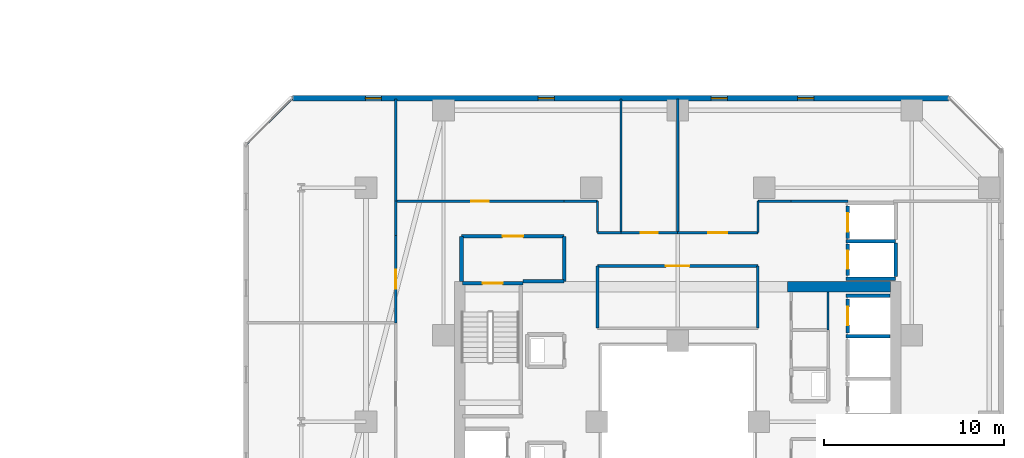
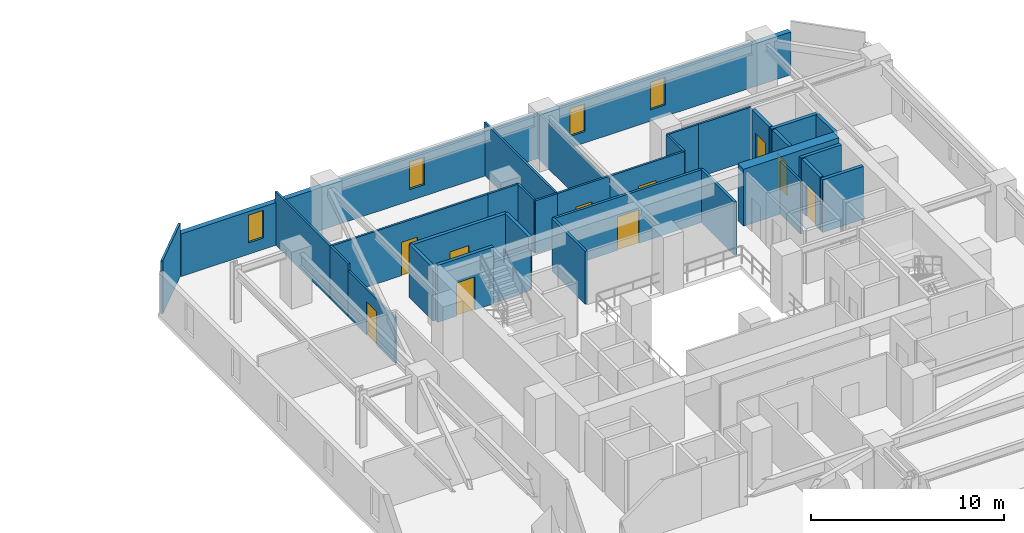
# One storey, part 26 of 33: 34 walls, 10 doors, 4 windows, 14 openings.
"""IFC4 building model written with IfcOpenShell, lengths in metres."""

from ifc_helpers import new_model, si_unit, direction, frame, frame_2d, origin, place, context, subcontext, project, spatial, rectangle, extrude, material, layer, layer_set, type_object, element, fill, save


model = new_model("IFC4")

# Units and contexts
model_context = context("Model", 3, precision=1e-05, world=origin(), true_north=direction((0.0, 1.0)))
body_context = subcontext(model_context, "Body", "Model", "MODEL_VIEW")
ifc_project = project(units=[si_unit("LENGTHUNIT", "METRE"), si_unit("AREAUNIT", "SQUARE_METRE"), si_unit("VOLUMEUNIT", "CUBIC_METRE"), si_unit("PLANEANGLEUNIT", "RADIAN"), si_unit("MASSUNIT", "GRAM", prefix="KILO")], contexts=[model_context])

# Site, building, storey
site_placement = place(None, origin())
site = spatial("IfcSite", under=ifc_project, at=site_placement, CompositionType="ELEMENT")
building_placement = place(site_placement, origin())
building = spatial("IfcBuilding", under=site, at=building_placement, Name="Thornwick Lancets Civic Towers", CompositionType="ELEMENT")
storey_placement = place(building_placement, frame((0.0, 0.0, 112.5)))
storey = spatial("IfcBuildingStorey", under=building, at=storey_placement, Name="L29", CompositionType="ELEMENT", Elevation=112.5)

# Wall, opening, door
ifc_material_1 = material(Name="Concrete blockwork C40/50", Category="masonry")
ifc_layer_1 = layer(ifc_material_1, 0.199951171875, Name="Concrete blockwork C40/50")
ifc_layer_set_1 = layer_set([ifc_layer_1], Name="Concrete blockwork C40/50")
wall_type_1 = type_object("IfcWallType", Name="WALL_COMP_200", PredefinedType="STANDARD", material=ifc_layer_set_1)
wall_1_placement = place(storey_placement, frame((97.949951171875, 33.820068359375, 0.0), z_axis=(0.0, 0.0, 1.0), x_axis=(0.0, -1.0, 0.0)))
wall_1 = element("IfcWall", 1, at=wall_1_placement, inside=storey, type_object=wall_type_1, Name="L29 Hoistway Front Wall PL-BL1", PredefinedType="STANDARD", context=body_context, shape_type="SweptSolid", body=[
    extrude(rectangle(XDim=1.89013671875, YDim=0.199951171875, at=frame_2d((0.945068359375, 0.0))), origin(), (0.0, 0.0, 1.0), 3.340087890625),
])
opening_1_placement = place(wall_1_placement, frame((0.43505859375, 0.0, 0.0)))
opening_1 = element("IfcOpeningElement", 2, at=opening_1_placement, cuts=wall_1, Name="Opening LD-PL-BL1", PredefinedType="OPENING", context=body_context, shape_type="SweptSolid", body=[
    extrude(rectangle(XDim=1.02001953125, YDim=2.06005859375, at=frame_2d((0.510009765625, 1.030029296875))), frame((0.0, 0.10986328125, 0.0), z_axis=(0.0, -1.0, 0.0), x_axis=(1.0, 0.0, 0.0)), (0.0, 0.0, 1.0), 0.219970703125),
])
ifc_material_2 = material(Name="Brushed bronze stainless steel", Category="steel")
door_type_1 = type_object("IfcDoorType", Name="DOOR_LIFT_SLIDE", OperationType="SLIDING_TO_LEFT", PredefinedType="DOOR", material=ifc_material_2)
door_1_placement = place(opening_1_placement, origin())
door_1 = element("IfcDoor", 3, at=door_1_placement, inside=storey, type_object=door_type_1, Name="L29 Sliding Lift Landing Door LD-PL-BL1", OperationType="SLIDING_TO_LEFT", OverallHeight=2.06005859375, OverallWidth=1.02001953125, PredefinedType="DOOR", context=body_context, shape_type="SweptSolid", body=[
    extrude(rectangle(XDim=1.02001953125, YDim=2.06005859375, at=frame_2d((0.510009765625, 1.030029296875))), frame((0.0, 0.02490234375, 0.0), z_axis=(0.0, -1.0, 0.0), x_axis=(1.0, 0.0, 0.0)), (0.0, 0.0, 1.0), 0.050048828125),
])
fill(opening_1, door_1)

wall_2_placement = place(storey_placement, frame((97.949951171875, 36.8701171875, 0.0), z_axis=(0.0, 0.0, 1.0), x_axis=(0.0, -1.0, 0.0)))
wall_2 = element("IfcWall", 4, at=wall_2_placement, inside=storey, type_object=wall_type_1, Name="L29 Hoistway Front Wall PL-BL2", PredefinedType="STANDARD", context=body_context, shape_type="SweptSolid", body=[
    extrude(rectangle(XDim=1.740234375, YDim=0.199951171875, at=frame_2d((0.8701171875, 0.0))), origin(), (0.0, 0.0, 1.0), 3.340087890625),
])
opening_2_placement = place(wall_2_placement, frame((0.360107421875, 0.0, 0.0)))
opening_2 = element("IfcOpeningElement", 5, at=opening_2_placement, cuts=wall_2, Name="Opening LD-PL-BL2", PredefinedType="OPENING", context=body_context, shape_type="SweptSolid", body=[
    extrude(rectangle(XDim=1.02001953125, YDim=2.06005859375, at=frame_2d((0.510009765625, 1.030029296875))), frame((0.0, 0.10986328125, 0.0), z_axis=(0.0, -1.0, 0.0), x_axis=(1.0, 0.0, 0.0)), (0.0, 0.0, 1.0), 0.219970703125),
])
door_2_placement = place(opening_2_placement, origin())
door_2 = element("IfcDoor", 6, at=door_2_placement, inside=storey, type_object=door_type_1, Name="L29 Sliding Lift Landing Door LD-PL-BL2", OperationType="SLIDING_TO_LEFT", OverallHeight=2.06005859375, OverallWidth=1.02001953125, PredefinedType="DOOR", context=body_context, shape_type="SweptSolid", body=[
    extrude(rectangle(XDim=1.02001953125, YDim=2.06005859375, at=frame_2d((0.510009765625, 1.030029296875))), frame((0.0, 0.02490234375, 0.0), z_axis=(0.0, -1.0, 0.0), x_axis=(1.0, 0.0, 0.0)), (0.0, 0.0, 1.0), 0.050048828125),
])
fill(opening_2, door_2)

wall_3_placement = place(storey_placement, frame((97.949951171875, 38.969970703125, 0.0), z_axis=(0.0, 0.0, 1.0), x_axis=(0.0, -1.0, 0.0)))
wall_3 = element("IfcWall", 7, at=wall_3_placement, inside=storey, type_object=wall_type_1, Name="L29 Hoistway Front Wall PL-BL3", PredefinedType="STANDARD", context=body_context, shape_type="SweptSolid", body=[
    extrude(rectangle(XDim=1.7900390625, YDim=0.199951171875, at=frame_2d((0.89501953125, 0.0))), origin(), (0.0, 0.0, 1.0), 3.340087890625),
])
opening_3_placement = place(wall_3_placement, frame((0.385009765625, 0.0, 0.0)))
opening_3 = element("IfcOpeningElement", 8, at=opening_3_placement, cuts=wall_3, Name="Opening LD-PL-BL3", PredefinedType="OPENING", context=body_context, shape_type="SweptSolid", body=[
    extrude(rectangle(XDim=1.02001953125, YDim=2.06005859375, at=frame_2d((0.510009765625, 1.030029296875))), frame((0.0, 0.10986328125, 0.0), z_axis=(0.0, -1.0, 0.0), x_axis=(1.0, 0.0, 0.0)), (0.0, 0.0, 1.0), 0.219970703125),
])
door_3_placement = place(opening_3_placement, origin())
door_3 = element("IfcDoor", 9, at=door_3_placement, inside=storey, type_object=door_type_1, Name="L29 Sliding Lift Landing Door LD-PL-BL3", OperationType="SLIDING_TO_LEFT", OverallHeight=2.06005859375, OverallWidth=1.02001953125, PredefinedType="DOOR", context=body_context, shape_type="SweptSolid", body=[
    extrude(rectangle(XDim=1.02001953125, YDim=2.06005859375, at=frame_2d((0.510009765625, 1.030029296875))), frame((0.0, 0.02490234375, 0.0), z_axis=(0.0, -1.0, 0.0), x_axis=(1.0, 0.0, 0.0)), (0.0, 0.0, 1.0), 0.050048828125),
])
fill(opening_3, door_3)

# Walls
for number, where, z_axis, x_axis, name in (
    (10, (97.85205078125, 31.75, 0.0), (0.0, 0.0, 1.0), (1.0, 0.0, 0.0), "L29 Hoistway Shaft Wall PL-BH1 N"),
    (11, (97.85205078125, 34.0, 0.0), (0.0, 0.0, 1.0), (1.0, 0.0, 0.0), "L29 Hoistway Shaft Wall PL-BL1 N"),
):
    element("IfcWall", number, at=place(storey_placement, frame(where, z_axis=z_axis, x_axis=x_axis)), inside=storey, type_object=wall_type_1, Name=name, PredefinedType="STANDARD", context=body_context, shape_type="SweptSolid", body=[
        extrude(rectangle(XDim=2.43603515625, YDim=0.199951171875, at=frame_2d((1.218017578125, 0.0))), origin(), (0.0, 0.0, 1.0), 3.340087890625),
    ])
for number, where, z_axis, x_axis, name in (
    (12, (97.85205078125, 37.02490234375, 0.0), (0.0, 0.0, 1.0), (1.0, 0.0, 0.0), "L29 Hoistway Shaft Wall PL-BL2 N"),
    (13, (97.85205078125, 34.949951171875, 0.0), (0.0, 0.0, 1.0), (1.0, 0.0, 0.0), "L29 Hoistway Shaft Wall PL-BL2 S"),
):
    element("IfcWall", number, at=place(storey_placement, frame(where, z_axis=z_axis, x_axis=x_axis)), inside=storey, type_object=wall_type_1, Name=name, PredefinedType="STANDARD", context=body_context, shape_type="SweptSolid", body=[
        extrude(rectangle(XDim=2.745849609375, YDim=0.199951171875, at=frame_2d((1.373046875, 0.0))), origin(), (0.0, 0.0, 1.0), 3.340087890625),
    ])
wall_4_placement = place(storey_placement, frame((100.60009765625, 35.06201171875, 0.0), z_axis=(0.0, 0.0, 1.0), x_axis=(0.0, 1.0, 0.0)))
element("IfcWall", 14, at=wall_4_placement, inside=storey, type_object=wall_type_1, Name="L29 Hoistway Shaft Wall PL-BL2 E", PredefinedType="STANDARD", context=body_context, shape_type="SweptSolid", body=[
    extrude(rectangle(XDim=1.85595703125, YDim=0.199951171875, at=frame_2d((0.927978515625, 0.0))), origin(), (0.0, 0.0, 1.0), 3.340087890625),
])
wall_5_placement = place(storey_placement, frame((79.89990234375, 34.800048828125, 0.0), z_axis=(0.0, 0.0, 1.0), x_axis=(1.0, 0.0, 0.0)))
element("IfcWall", 15, at=wall_5_placement, inside=storey, type_object=wall_type_1, Name="L29 Partition L29-B-FFLOB2 E1", PredefinedType="STANDARD", context=body_context, shape_type="SweptSolid", body=[
    extrude(rectangle(XDim=2.300048828125, YDim=0.199951171875, at=frame_2d((1.14990234375, 0.0))), origin(), (0.0, 0.0, 1.0), 2.544921875),
])
wall_6_placement = place(storey_placement, frame((82.199951171875, 34.800048828125, 0.0), z_axis=(0.0, 0.0, 1.0), x_axis=(0.0, 1.0, 0.0)))
element("IfcWall", 16, at=wall_6_placement, inside=storey, type_object=wall_type_1, Name="L29 Partition L29-B-FFLOB2 E2", PredefinedType="STANDARD", context=body_context, shape_type="SweptSolid", body=[
    extrude(rectangle(XDim=2.5, YDim=0.199951171875, at=frame_2d((1.25, 0.0))), origin(), (0.0, 0.0, 1.0), 3.340087890625),
])

# Wall, opening, door
wall_7_placement = place(storey_placement, frame((82.199951171875, 37.300048828125, 0.0), z_axis=(0.0, 0.0, 1.0), x_axis=(-1.0, 0.0, 0.0)))
wall_7 = element("IfcWall", 17, at=wall_7_placement, inside=storey, type_object=wall_type_1, Name="L29 Partition L29-B-FFLOB2 E3", PredefinedType="STANDARD", context=body_context, shape_type="SweptSolid", body=[
    extrude(rectangle(XDim=5.699951171875, YDim=0.199951171875, at=frame_2d((2.85009765625, 0.0))), origin(), (0.0, 0.0, 1.0), 3.340087890625),
])
opening_4_placement = place(wall_7_placement, frame((2.27490234375, 0.0, 0.0)))
opening_4 = element("IfcOpeningElement", 18, at=opening_4_placement, cuts=wall_7, Name="Opening D-L29-1333", PredefinedType="OPENING", context=body_context, shape_type="SweptSolid", body=[
    extrude(rectangle(XDim=1.14990234375, YDim=2.10009765625, at=frame_2d((0.574951171875, 1.050048828125))), frame((0.0, 0.10986328125, 0.0), z_axis=(0.0, -1.0, 0.0), x_axis=(1.0, 0.0, 0.0)), (0.0, 0.0, 1.0), 0.219970703125),
])
ifc_material_3 = material(Name="Glazed fire-resisting steel", Category="steel")
door_type_2 = type_object("IfcDoorType", Name="DOOR_LOBBY_FD60", OperationType="NOTDEFINED", PredefinedType="DOOR", material=ifc_material_3)
door_4_placement = place(opening_4_placement, origin())
door_4 = element("IfcDoor", 19, at=door_4_placement, inside=storey, type_object=door_type_2, Name="L29 West Firefighting Lobby 2 Door", OperationType="SINGLE_SWING_RIGHT", OverallHeight=2.10009765625, OverallWidth=1.14990234375, PredefinedType="DOOR", context=body_context, shape_type="SweptSolid", body=[
    extrude(rectangle(XDim=1.14990234375, YDim=2.10009765625, at=frame_2d((0.574951171875, 1.050048828125))), frame((0.0, 0.02490234375, 0.0), z_axis=(0.0, -1.0, 0.0), x_axis=(1.0, 0.0, 0.0)), (0.0, 0.0, 1.0), 0.050048828125),
])
fill(opening_4, door_4)

# Walls
wall_8_placement = place(storey_placement, frame((76.5, 37.300048828125, 0.0), z_axis=(0.0, 0.0, 1.0), x_axis=(0.0, -1.0, 0.0)))
element("IfcWall", 20, at=wall_8_placement, inside=storey, type_object=wall_type_1, Name="L29 Partition L29-B-FFLOB2 E4", PredefinedType="STANDARD", context=body_context, shape_type="SweptSolid", body=[
    extrude(rectangle(XDim=2.5, YDim=0.199951171875, at=frame_2d((1.25, 0.0))), origin(), (0.0, 0.0, 1.0), 3.340087890625),
])
ifc_material_4 = material(Name="Concrete C60/75", Category="concrete")
ifc_layer_2 = layer(ifc_material_4, 0.60009765625, Name="Concrete C60/75")
ifc_layer_set_2 = layer_set([ifc_layer_2], Name="Concrete C60/75")
wall_type_2 = type_object("IfcWallType", Name="WALL_CORE_600", PredefinedType="SHEAR", material=ifc_layer_set_2)
wall_9_placement = place(storey_placement, frame((94.60009765625, 34.5, 0.0), z_axis=(0.0, 0.0, 1.0), x_axis=(1.0, 0.0, 0.0)))
element("IfcWall", 21, at=wall_9_placement, inside=storey, type_object=wall_type_2, Name="L29 Split Core B1 Shear Wall N", PredefinedType="SHEAR", context=body_context, shape_type="SweptSolid", body=[
    extrude(rectangle(XDim=5.699951171875, YDim=0.60009765625, at=frame_2d((2.85009765625, 0.0))), origin(), (0.0, 0.0, 1.0), 3.60009765625),
])

# Wall, openings, windows
ifc_material_5 = material(Name="Insulated russet terracotta rainscreen on concrete C40/50", Category="masonry")
ifc_layer_3 = layer(ifc_material_5, 0.300048828125, Name="Insulated russet terracotta rainscreen on concrete C40/50")
ifc_layer_set_3 = layer_set([ifc_layer_3], Name="Insulated russet terracotta rainscreen on concrete C40/50")
wall_type_3 = type_object("IfcWallType", Name="WALL_EXT_RUSSET_300", PredefinedType="STANDARD", material=ifc_layer_set_3)
wall_10_placement = place(storey_placement, frame((103.555419921875, 44.963623046875, 0.0), z_axis=(0.0, 0.0, 1.0), x_axis=(-0.999999999641, 2.6801568e-05, 0.0)))
wall_10 = element("IfcWall", 22, at=wall_10_placement, inside=storey, type_object=wall_type_3, Name="L29 Tower B Terracotta Facade Wall E4", PredefinedType="STANDARD", context=body_context, shape_type="SweptSolid", body=[
    extrude(rectangle(XDim=36.436767578125, YDim=0.300048828125, at=frame_2d((18.21826171875, 0.0))), origin(), (0.0, 0.0, 1.0), 2.699951171875),
])
opening_5_placement = place(wall_10_placement, frame((7.5, 0.0, 0.719970703125)))
opening_5 = element("IfcOpeningElement", 23, at=opening_5_placement, cuts=wall_10, Name="Opening WL-01", PredefinedType="OPENING", context=body_context, shape_type="SweptSolid", body=[
    extrude(rectangle(XDim=0.89990234375, YDim=1.75, at=frame_2d((0.449951171875, 0.875))), frame((0.0, 0.16015625, 0.0), z_axis=(0.0, -1.0, 0.0), x_axis=(1.0, 0.0, 0.0)), (0.0, 0.0, 1.0), 0.320068359375),
])
opening_6_placement = place(wall_10_placement, frame((12.300048828125, 0.0, 0.719970703125)))
opening_6 = element("IfcOpeningElement", 24, at=opening_6_placement, cuts=wall_10, Name="Opening WL-01", PredefinedType="OPENING", context=body_context, shape_type="SweptSolid", body=[
    extrude(rectangle(XDim=0.89990234375, YDim=1.75, at=frame_2d((0.449951171875, 0.875))), frame((0.0, 0.16015625, 0.0), z_axis=(0.0, -1.0, 0.0), x_axis=(1.0, 0.0, 0.0)), (0.0, 0.0, 1.0), 0.320068359375),
])
opening_7_placement = place(wall_10_placement, frame((21.89990234375, 0.0, 0.719970703125)))
opening_7 = element("IfcOpeningElement", 25, at=opening_7_placement, cuts=wall_10, Name="Opening WL-01", PredefinedType="OPENING", context=body_context, shape_type="SweptSolid", body=[
    extrude(rectangle(XDim=0.89990234375, YDim=1.75, at=frame_2d((0.449951171875, 0.875))), frame((0.0, 0.16015625, 0.0), z_axis=(0.0, -1.0, 0.0), x_axis=(1.0, 0.0, 0.0)), (0.0, 0.0, 1.0), 0.320068359375),
])
opening_8_placement = place(wall_10_placement, frame((31.5, 0.0, 0.719970703125)))
opening_8 = element("IfcOpeningElement", 26, at=opening_8_placement, cuts=wall_10, Name="Opening WL-01", PredefinedType="OPENING", context=body_context, shape_type="SweptSolid", body=[
    extrude(rectangle(XDim=0.89990234375, YDim=1.75, at=frame_2d((0.449951171875, 0.875))), frame((0.0, 0.16015625, 0.0), z_axis=(0.0, -1.0, 0.0), x_axis=(1.0, 0.0, 0.0)), (0.0, 0.0, 1.0), 0.320068359375),
])
ifc_material_6 = material(Name="Clear low-e double glazing in bronze frame", Category="glass")
window_type = type_object("IfcWindowType", Name="WIN_LANCET_900", PartitioningType="SINGLE_PANEL", PredefinedType="WINDOW", material=ifc_material_6)
window_1_placement = place(opening_5_placement, origin())
window_1 = element("IfcWindow", 27, at=window_1_placement, inside=storey, type_object=window_type, Name="L29 Tower B Staggered Lancet Window E4-1", OverallHeight=1.75, OverallWidth=0.89990234375, PartitioningType="SINGLE_PANEL", PredefinedType="WINDOW", context=body_context, shape_type="SweptSolid", body=[
    extrude(rectangle(XDim=0.89990234375, YDim=1.75, at=frame_2d((0.449951171875, 0.875))), frame((0.0, 0.030029296875, 0.0), z_axis=(0.0, -1.0, 0.0), x_axis=(1.0, 0.0, 0.0)), (0.0, 0.0, 1.0), 0.06005859375),
])
fill(opening_5, window_1)
window_2_placement = place(opening_6_placement, origin())
window_2 = element("IfcWindow", 28, at=window_2_placement, inside=storey, type_object=window_type, Name="L29 Tower B Staggered Lancet Window E4-2", OverallHeight=1.75, OverallWidth=0.89990234375, PartitioningType="SINGLE_PANEL", PredefinedType="WINDOW", context=body_context, shape_type="SweptSolid", body=[
    extrude(rectangle(XDim=0.89990234375, YDim=1.75, at=frame_2d((0.449951171875, 0.875))), frame((0.0, 0.030029296875, 0.0), z_axis=(0.0, -1.0, 0.0), x_axis=(1.0, 0.0, 0.0)), (0.0, 0.0, 1.0), 0.06005859375),
])
fill(opening_6, window_2)
window_3_placement = place(opening_7_placement, origin())
window_3 = element("IfcWindow", 29, at=window_3_placement, inside=storey, type_object=window_type, Name="L29 Tower B Staggered Lancet Window E4-3", OverallHeight=1.75, OverallWidth=0.89990234375, PartitioningType="SINGLE_PANEL", PredefinedType="WINDOW", context=body_context, shape_type="SweptSolid", body=[
    extrude(rectangle(XDim=0.89990234375, YDim=1.75, at=frame_2d((0.449951171875, 0.875))), frame((0.0, 0.030029296875, 0.0), z_axis=(0.0, -1.0, 0.0), x_axis=(1.0, 0.0, 0.0)), (0.0, 0.0, 1.0), 0.06005859375),
])
fill(opening_7, window_3)
window_4_placement = place(opening_8_placement, origin())
window_4 = element("IfcWindow", 30, at=window_4_placement, inside=storey, type_object=window_type, Name="L29 Tower B Staggered Lancet Window E4-4", OverallHeight=1.75, OverallWidth=0.89990234375, PartitioningType="SINGLE_PANEL", PredefinedType="WINDOW", context=body_context, shape_type="SweptSolid", body=[
    extrude(rectangle(XDim=0.89990234375, YDim=1.75, at=frame_2d((0.449951171875, 0.875))), frame((0.0, 0.030029296875, 0.0), z_axis=(0.0, -1.0, 0.0), x_axis=(1.0, 0.0, 0.0)), (0.0, 0.0, 1.0), 0.06005859375),
])
fill(opening_8, window_4)

# Walls
ifc_material_7 = material(Name="Acoustic gypsum board partition")
ifc_layer_4 = layer(ifc_material_7, 0.1201171875, Name="Acoustic gypsum board partition")
ifc_layer_set_4 = layer_set([ifc_layer_4], Name="Acoustic gypsum board partition")
wall_type_4 = type_object("IfcWallType", Name="WALL_PART_120", PredefinedType="PARTITIONING", material=ifc_layer_set_4)
wall_11_placement = place(storey_placement, frame((96.85009765625, 34.199951171875, 0.0), z_axis=(0.0, 0.0, 1.0), x_axis=(0.0, -1.0, 0.0)))
element("IfcWall", 31, at=wall_11_placement, inside=storey, type_object=wall_type_4, Name="L29 Partition L29-B-ITR E3", PredefinedType="PARTITIONING", context=body_context, shape_type="SweptSolid", body=[
    extrude(rectangle(XDim=2.099853515625, YDim=0.1201171875, at=frame_2d((1.0498046875, 0.0))), origin(), (0.0, 0.0, 1.0), 3.340087890625),
])
wall_12_placement = place(storey_placement, frame((97.949951171875, 39.25, 0.0), z_axis=(0.0, 0.0, 1.0), x_axis=(-1.0, 0.0, 0.0)))
element("IfcWall", 32, at=wall_12_placement, inside=storey, type_object=wall_type_4, Name="L29 Partition L29-B-E1 E7", PredefinedType="PARTITIONING", context=body_context, shape_type="SweptSolid", body=[
    extrude(rectangle(XDim=3.14990234375, YDim=0.1201171875, at=frame_2d((1.574951171875, 0.0))), origin(), (0.0, 0.0, 1.0), 3.340087890625),
])
wall_13_placement = place(storey_placement, frame((94.800048828125, 39.25, 0.0), z_axis=(0.0, 0.0, 1.0), x_axis=(-1.0, 0.0, 0.0)))
element("IfcWall", 33, at=wall_13_placement, inside=storey, type_object=wall_type_4, Name="L29 Partition L29-B-E1 E8", PredefinedType="PARTITIONING", context=body_context, shape_type="SweptSolid", body=[
    extrude(rectangle(XDim=1.85009765625, YDim=0.1201171875, at=frame_2d((0.925048828125, 0.0))), origin(), (0.0, 0.0, 1.0), 3.340087890625),
])
wall_14_placement = place(storey_placement, frame((92.949951171875, 39.25, 0.0), z_axis=(0.0, 0.0, 1.0), x_axis=(0.0, -1.0, 0.0)))
element("IfcWall", 34, at=wall_14_placement, inside=storey, type_object=wall_type_4, Name="L29 Partition L29-B-E1 E9", PredefinedType="PARTITIONING", context=body_context, shape_type="SweptSolid", body=[
    extrude(rectangle(XDim=1.75, YDim=0.1201171875, at=frame_2d((0.875, 0.0))), origin(), (0.0, 0.0, 1.0), 3.340087890625),
])

# Wall, opening, door
wall_15_placement = place(storey_placement, frame((92.949951171875, 37.5, 0.0), z_axis=(0.0, 0.0, 1.0), x_axis=(-1.0, 0.0, 0.0)))
wall_15 = element("IfcWall", 35, at=wall_15_placement, inside=storey, type_object=wall_type_4, Name="L29 Partition L29-B-E1 E10", PredefinedType="PARTITIONING", context=body_context, shape_type="SweptSolid", body=[
    extrude(rectangle(XDim=4.449951171875, YDim=0.1201171875, at=frame_2d((2.22509765625, 0.0))), origin(), (0.0, 0.0, 1.0), 3.340087890625),
])
opening_9_placement = place(wall_15_placement, frame((1.699951171875, 0.0, 0.0)))
opening_9 = element("IfcOpeningElement", 36, at=opening_9_placement, cuts=wall_15, Name="Opening D-L29-1357", PredefinedType="OPENING", context=body_context, shape_type="SweptSolid", body=[
    extrude(rectangle(XDim=1.050048828125, YDim=2.10009765625, at=frame_2d((0.52490234375, 1.050048828125))), frame((0.0, 0.070068359375, 0.0), z_axis=(0.0, -1.0, 0.0), x_axis=(1.0, 0.0, 0.0)), (0.0, 0.0, 1.0), 0.14013671875),
])
ifc_material_8 = material(Name="Glazed European oak executive doorset")
door_type_3 = type_object("IfcDoorType", Name="DOOR_OFFICE_1050", OperationType="NOTDEFINED", PredefinedType="DOOR", material=ifc_material_8)
door_5_placement = place(opening_9_placement, origin())
door_5 = element("IfcDoor", 37, at=door_5_placement, inside=storey, type_object=door_type_3, Name="L29 Tower B Secretariat Open Office E1 Door", OperationType="SINGLE_SWING_RIGHT", OverallHeight=2.10009765625, OverallWidth=1.050048828125, PredefinedType="DOOR", context=body_context, shape_type="SweptSolid", body=[
    extrude(rectangle(XDim=1.050048828125, YDim=2.10009765625, at=frame_2d((0.52490234375, 1.050048828125))), frame((0.0, 0.02490234375, 0.0), z_axis=(0.0, -1.0, 0.0), x_axis=(1.0, 0.0, 0.0)), (0.0, 0.0, 1.0), 0.050048828125),
])
fill(opening_9, door_5)

# Walls
wall_16_placement = place(storey_placement, frame((88.5, 37.5, 0.0), z_axis=(0.0, 0.0, 1.0), x_axis=(0.0, 1.0, 0.0)))
element("IfcWall", 38, at=wall_16_placement, inside=storey, type_object=wall_type_4, Name="L29 Partition L29-B-E1 E11", PredefinedType="PARTITIONING", context=body_context, shape_type="SweptSolid", body=[
    extrude(rectangle(XDim=7.419921875, YDim=0.1201171875, at=frame_2d((3.7099609375, 0.0))), origin(), (0.0, 0.0, 1.0), 2.881591796875),
])
wall_17_placement = place(storey_placement, frame((85.35009765625, 37.5, 0.0), z_axis=(0.0, 0.0, 1.0), x_axis=(0.0, 1.0, 0.0)))
element("IfcWall", 39, at=wall_17_placement, inside=storey, type_object=wall_type_4, Name="L29 Partition L29-B-E2 E1", PredefinedType="PARTITIONING", context=body_context, shape_type="SweptSolid", body=[
    extrude(rectangle(XDim=7.419921875, YDim=0.1201171875, at=frame_2d((3.7099609375, 0.0))), origin(), (0.0, 0.0, 1.0), 3.340087890625),
])

# Wall, opening, door
wall_18_placement = place(storey_placement, frame((88.5, 37.5, 0.0), z_axis=(0.0, 0.0, 1.0), x_axis=(-1.0, 0.0, 0.0)))
wall_18 = element("IfcWall", 40, at=wall_18_placement, inside=storey, type_object=wall_type_4, Name="L29 Partition L29-B-E2 E4", PredefinedType="PARTITIONING", context=body_context, shape_type="SweptSolid", body=[
    extrude(rectangle(XDim=3.14990234375, YDim=0.1201171875, at=frame_2d((1.574951171875, 0.0))), origin(), (0.0, 0.0, 1.0), 3.340087890625),
])
opening_10_placement = place(wall_18_placement, frame((1.10009765625, 0.0, 0.0)))
opening_10 = element("IfcOpeningElement", 41, at=opening_10_placement, cuts=wall_18, Name="Opening D-L29-1358", PredefinedType="OPENING", context=body_context, shape_type="SweptSolid", body=[
    extrude(rectangle(XDim=0.949951171875, YDim=2.10009765625, at=frame_2d((0.47509765625, 1.050048828125))), frame((0.0, 0.070068359375, 0.0), z_axis=(0.0, -1.0, 0.0), x_axis=(1.0, 0.0, 0.0)), (0.0, 0.0, 1.0), 0.14013671875),
])
ifc_material_9 = material(Name="European oak acoustic doorset")
door_type_4 = type_object("IfcDoorType", Name="DOOR_OFFICE_950", OperationType="NOTDEFINED", PredefinedType="DOOR", material=ifc_material_9)
door_6_placement = place(opening_10_placement, origin())
door_6 = element("IfcDoor", 42, at=door_6_placement, inside=storey, type_object=door_type_4, Name="L29 Tower B Visitors Reception and Waiting Door", OperationType="SINGLE_SWING_LEFT", OverallHeight=2.10009765625, OverallWidth=0.949951171875, PredefinedType="DOOR", context=body_context, shape_type="SweptSolid", body=[
    extrude(rectangle(XDim=0.949951171875, YDim=2.10009765625, at=frame_2d((0.47509765625, 1.050048828125))), frame((0.0, 0.02490234375, 0.0), z_axis=(0.0, -1.0, 0.0), x_axis=(1.0, 0.0, 0.0)), (0.0, 0.0, 1.0), 0.050048828125),
])
fill(opening_10, door_6)

# Walls
wall_19_placement = place(storey_placement, frame((84.050048828125, 37.5, 0.0), z_axis=(0.0, 0.0, 1.0), x_axis=(0.0, 1.0, 0.0)))
element("IfcWall", 43, at=wall_19_placement, inside=storey, type_object=wall_type_4, Name="L29 Partition L29-B-E3 E1", PredefinedType="PARTITIONING", context=body_context, shape_type="SweptSolid", body=[
    extrude(rectangle(XDim=1.75, YDim=0.1201171875, at=frame_2d((0.875, 0.0))), origin(), (0.0, 0.0, 1.0), 3.340087890625),
])
wall_20_placement = place(storey_placement, frame((84.050048828125, 39.25, 0.0), z_axis=(0.0, 0.0, 1.0), x_axis=(-1.0, 0.0, 0.0)))
element("IfcWall", 44, at=wall_20_placement, inside=storey, type_object=wall_type_4, Name="L29 Partition L29-B-E3 E2", PredefinedType="PARTITIONING", context=body_context, shape_type="SweptSolid", body=[
    extrude(rectangle(XDim=1.85009765625, YDim=0.1201171875, at=frame_2d((0.925048828125, 0.0))), origin(), (0.0, 0.0, 1.0), 3.340087890625),
])

# Wall, opening, door
wall_21_placement = place(storey_placement, frame((82.199951171875, 39.25, 0.0), z_axis=(0.0, 0.0, 1.0), x_axis=(-1.0, 0.0, 0.0)))
wall_21 = element("IfcWall", 45, at=wall_21_placement, inside=storey, type_object=wall_type_4, Name="L29 Partition L29-B-E3 E3", PredefinedType="PARTITIONING", context=body_context, shape_type="SweptSolid", body=[
    extrude(rectangle(XDim=9.349853515625, YDim=0.1201171875, at=frame_2d((4.6748046875, 0.0))), origin(), (0.0, 0.0, 1.0), 3.340087890625),
])
opening_11_placement = place(wall_21_placement, frame((4.199951171875, 0.0, 0.0)))
opening_11 = element("IfcOpeningElement", 46, at=opening_11_placement, cuts=wall_21, Name="Opening D-L29-1359", PredefinedType="OPENING", context=body_context, shape_type="SweptSolid", body=[
    extrude(rectangle(XDim=0.949951171875, YDim=2.10009765625, at=frame_2d((0.47509765625, 1.050048828125))), frame((0.0, 0.070068359375, 0.0), z_axis=(0.0, -1.0, 0.0), x_axis=(1.0, 0.0, 0.0)), (0.0, 0.0, 1.0), 0.14013671875),
])
door_7_placement = place(opening_11_placement, origin())
door_7 = element("IfcDoor", 47, at=door_7_placement, inside=storey, type_object=door_type_4, Name="L29 Tower B Civic Seminar Room Door", OperationType="SINGLE_SWING_RIGHT", OverallHeight=2.10009765625, OverallWidth=0.949951171875, PredefinedType="DOOR", context=body_context, shape_type="SweptSolid", body=[
    extrude(rectangle(XDim=0.949951171875, YDim=2.10009765625, at=frame_2d((0.47509765625, 1.050048828125))), frame((0.0, 0.02490234375, 0.0), z_axis=(0.0, -1.0, 0.0), x_axis=(1.0, 0.0, 0.0)), (0.0, 0.0, 1.0), 0.050048828125),
])
fill(opening_11, door_7)

# Walls
wall_22_placement = place(storey_placement, frame((72.85009765625, 39.25, 0.0), z_axis=(0.0, 0.0, 1.0), x_axis=(0.0, 1.0, 0.0)))
element("IfcWall", 48, at=wall_22_placement, inside=storey, type_object=wall_type_4, Name="L29 Partition L29-B-E3 E4", PredefinedType="PARTITIONING", context=body_context, shape_type="SweptSolid", body=[
    extrude(rectangle(XDim=5.669921875, YDim=0.1201171875, at=frame_2d((2.8349609375, 0.0))), origin(), (0.0, 0.0, 1.0), 3.340087890625),
])
wall_23_placement = place(storey_placement, frame((85.35009765625, 37.5, 0.0), z_axis=(0.0, 0.0, 1.0), x_axis=(-1.0, 0.0, 0.0)))
element("IfcWall", 49, at=wall_23_placement, inside=storey, type_object=wall_type_4, Name="L29 Partition L29-B-E3 E7", PredefinedType="PARTITIONING", context=body_context, shape_type="SweptSolid", body=[
    extrude(rectangle(XDim=1.300048828125, YDim=0.1201171875, at=frame_2d((0.64990234375, 0.0))), origin(), (0.0, 0.0, 1.0), 3.340087890625),
])
wall_24_placement = place(storey_placement, frame((64.580078125, 42.42529296875, 0.0), z_axis=(0.0, 0.0, 1.0), x_axis=(0.707106781187, 0.707106781187, 0.0)))
element("IfcWall", 50, at=wall_24_placement, inside=storey, type_object=wall_type_4, Name="L29 Partition L29-B-N-OFF E2", PredefinedType="PARTITIONING", context=body_context, shape_type="SweptSolid", body=[
    extrude(rectangle(XDim=3.52783203125, YDim=0.1201171875, at=frame_2d((1.763916015625, 0.0))), origin(), (0.0, 0.0, 1.0), 3.340087890625),
])
wall_25_placement = place(storey_placement, frame((72.85009765625, 39.25, 0.0), z_axis=(0.0, 0.0, 1.0), x_axis=(0.0, -1.0, 0.0)))
element("IfcWall", 51, at=wall_25_placement, inside=storey, type_object=wall_type_4, Name="L29 Partition L29-B-N-OFF E5", PredefinedType="PARTITIONING", context=body_context, shape_type="SweptSolid", body=[
    extrude(rectangle(XDim=1.89990234375, YDim=0.1201171875, at=frame_2d((0.949951171875, 0.0))), origin(), (0.0, 0.0, 1.0), 3.340087890625),
])

# Wall, opening, door
wall_26_placement = place(storey_placement, frame((72.85009765625, 37.35009765625, 0.0), z_axis=(0.0, 0.0, 1.0), x_axis=(0.0, -1.0, 0.0)))
wall_26 = element("IfcWall", 52, at=wall_26_placement, inside=storey, type_object=wall_type_4, Name="L29 Partition L29-B-N-OFF E6", PredefinedType="PARTITIONING", context=body_context, shape_type="SweptSolid", body=[
    extrude(rectangle(XDim=4.85009765625, YDim=0.1201171875, at=frame_2d((2.425048828125, 0.0))), origin(), (0.0, 0.0, 1.0), 2.89501953125),
])
opening_12_placement = place(wall_26_placement, frame((1.89990234375, 0.0, 0.0)))
opening_12 = element("IfcOpeningElement", 53, at=opening_12_placement, cuts=wall_26, Name="Opening D-L29-1364", PredefinedType="OPENING", context=body_context, shape_type="SweptSolid", body=[
    extrude(rectangle(XDim=1.050048828125, YDim=2.10009765625, at=frame_2d((0.52490234375, 1.050048828125))), frame((0.0, 0.070068359375, 0.0), z_axis=(0.0, -1.0, 0.0), x_axis=(1.0, 0.0, 0.0)), (0.0, 0.0, 1.0), 0.14013671875),
])
door_8_placement = place(opening_12_placement, origin())
door_8 = element("IfcDoor", 54, at=door_8_placement, inside=storey, type_object=door_type_3, Name="L29 Tower B North-East Policy Office Door", OperationType="SINGLE_SWING_LEFT", OverallHeight=2.10009765625, OverallWidth=1.050048828125, PredefinedType="DOOR", context=body_context, shape_type="SweptSolid", body=[
    extrude(rectangle(XDim=1.050048828125, YDim=2.10009765625, at=frame_2d((0.52490234375, 1.050048828125))), frame((0.0, 0.02490234375, 0.0), z_axis=(0.0, -1.0, 0.0), x_axis=(1.0, 0.0, 0.0)), (0.0, 0.0, 1.0), 0.050048828125),
])
fill(opening_12, door_8)

# Wall
ifc_material_10 = material(Name="Twin-stud acoustic gypsum board")
ifc_layer_5 = layer(ifc_material_10, 0.14990234375, Name="Twin-stud acoustic gypsum board")
ifc_layer_set_5 = layer_set([ifc_layer_5], Name="Twin-stud acoustic gypsum board")
wall_type_5 = type_object("IfcWallType", Name="WALL_PART_150", PredefinedType="PARTITIONING", material=ifc_layer_set_5)
wall_27_placement = place(storey_placement, frame((84.050048828125, 32.199951171875, 0.0), z_axis=(0.0, 0.0, 1.0), x_axis=(0.0, 1.0, 0.0)))
element("IfcWall", 55, at=wall_27_placement, inside=storey, type_object=wall_type_5, Name="L29 Partition L29-B-ATR-E E1", PredefinedType="PARTITIONING", context=body_context, shape_type="SweptSolid", body=[
    extrude(rectangle(XDim=3.449951171875, YDim=0.14990234375, at=frame_2d((1.72509765625, 0.0))), origin(), (0.0, 0.0, 1.0), 3.340087890625),
])

# Wall, opening, door
wall_28_placement = place(storey_placement, frame((84.050048828125, 35.64990234375, 0.0), z_axis=(0.0, 0.0, 1.0), x_axis=(1.0, 0.0, 0.0)))
wall_28 = element("IfcWall", 56, at=wall_28_placement, inside=storey, type_object=wall_type_5, Name="L29 Partition L29-B-ATR-E E2", PredefinedType="PARTITIONING", context=body_context, shape_type="SweptSolid", body=[
    extrude(rectangle(XDim=8.89990234375, YDim=0.14990234375, at=frame_2d((4.449951171875, 0.0))), origin(), (0.0, 0.0, 1.0), 3.340087890625),
])
opening_13_placement = place(wall_28_placement, frame((3.800048828125, 0.0, 0.0)))
opening_13 = element("IfcOpeningElement", 57, at=opening_13_placement, cuts=wall_28, Name="Opening D-L29-1360", PredefinedType="OPENING", context=body_context, shape_type="SweptSolid", body=[
    extrude(rectangle(XDim=1.300048828125, YDim=2.1201171875, at=frame_2d((0.64990234375, 1.06005859375))), frame((0.0, 0.0849609375, 0.0), z_axis=(0.0, -1.0, 0.0), x_axis=(1.0, 0.0, 0.0)), (0.0, 0.0, 1.0), 0.169921875),
])
ifc_material_11 = material(Name="Acoustic oak leaf-and-a-half doorset")
door_type_5 = type_object("IfcDoorType", Name="DOOR_MEET_1300", OperationType="DOUBLE_DOOR_SINGLE_SWING", PredefinedType="DOOR", material=ifc_material_11)
door_9_placement = place(opening_13_placement, origin())
door_9 = element("IfcDoor", 58, at=door_9_placement, inside=storey, type_object=door_type_5, Name="L29 Tower B East Atrium Briefing Suite Door", OperationType="DOUBLE_DOOR_SINGLE_SWING", OverallHeight=2.1201171875, OverallWidth=1.300048828125, PredefinedType="DOOR", context=body_context, shape_type="SweptSolid", body=[
    extrude(rectangle(XDim=1.300048828125, YDim=2.1201171875, at=frame_2d((0.64990234375, 1.06005859375))), frame((0.0, 0.02490234375, 0.0), z_axis=(0.0, -1.0, 0.0), x_axis=(1.0, 0.0, 0.0)), (0.0, 0.0, 1.0), 0.050048828125),
])
fill(opening_13, door_9)

# Wall
wall_29_placement = place(storey_placement, frame((92.949951171875, 35.64990234375, 0.0), z_axis=(0.0, 0.0, 1.0), x_axis=(0.0, -1.0, 0.0)))
element("IfcWall", 59, at=wall_29_placement, inside=storey, type_object=wall_type_5, Name="L29 Partition L29-B-ATR-E E3", PredefinedType="PARTITIONING", context=body_context, shape_type="SweptSolid", body=[
    extrude(rectangle(XDim=3.449951171875, YDim=0.14990234375, at=frame_2d((1.72509765625, 0.0))), origin(), (0.0, 0.0, 1.0), 3.340087890625),
])

# Wall, opening, door
ifc_material_12 = material(Name="Concrete C40/50", Category="concrete")
ifc_layer_6 = layer(ifc_material_12, 0.199951171875, Name="Concrete C40/50")
ifc_layer_set_6 = layer_set([ifc_layer_6], Name="Concrete C40/50")
wall_type_6 = type_object("IfcWallType", Name="WALL_SHAFT_200", PredefinedType="SHEAR", material=ifc_layer_set_6)
wall_30_placement = place(storey_placement, frame((76.550048828125, 34.699951171875, 0.0), z_axis=(0.0, 0.0, 1.0), x_axis=(1.0, 0.0, 0.0)))
wall_30 = element("IfcWall", 60, at=wall_30_placement, inside=storey, type_object=wall_type_6, Name="L29 ST-B2 Fire Stair Core Wall NEAR", PredefinedType="SHEAR", context=body_context, shape_type="SweptSolid", body=[
    extrude(rectangle(XDim=3.349853515625, YDim=0.199951171875, at=frame_2d((1.6748046875, 0.0))), origin(), (0.0, 0.0, 1.0), 3.60009765625),
])
opening_14_placement = place(wall_30_placement, frame((1.125, 0.0, 0.0)))
opening_14 = element("IfcOpeningElement", 61, at=opening_14_placement, cuts=wall_30, Name="Opening D-ST-B2-L29", PredefinedType="OPENING", context=body_context, shape_type="SweptSolid", body=[
    extrude(rectangle(XDim=1.10009765625, YDim=2.10009765625, at=frame_2d((0.550048828125, 1.050048828125))), frame((0.0, 0.10986328125, 0.0), z_axis=(0.0, -1.0, 0.0), x_axis=(1.0, 0.0, 0.0)), (0.0, 0.0, 1.0), 0.219970703125),
])
ifc_material_13 = material(Name="Fire-resisting steel and hardwood", Category="steel")
door_type_6 = type_object("IfcDoorType", Name="DOOR_STAIR_FD60", OperationType="NOTDEFINED", PredefinedType="DOOR", material=ifc_material_13)
door_10_placement = place(opening_14_placement, origin())
door_10 = element("IfcDoor", 62, at=door_10_placement, inside=storey, type_object=door_type_6, Name="L29 ST-B2 Exit Stair Door", OperationType="SINGLE_SWING_LEFT", OverallHeight=2.10009765625, OverallWidth=1.10009765625, PredefinedType="DOOR", context=body_context, shape_type="SweptSolid", body=[
    extrude(rectangle(XDim=1.10009765625, YDim=2.10009765625, at=frame_2d((0.550048828125, 1.050048828125))), frame((0.0, 0.02490234375, 0.0), z_axis=(0.0, -1.0, 0.0), x_axis=(1.0, 0.0, 0.0)), (0.0, 0.0, 1.0), 0.050048828125),
])
fill(opening_14, door_10)

save(model, "model.ifc")
